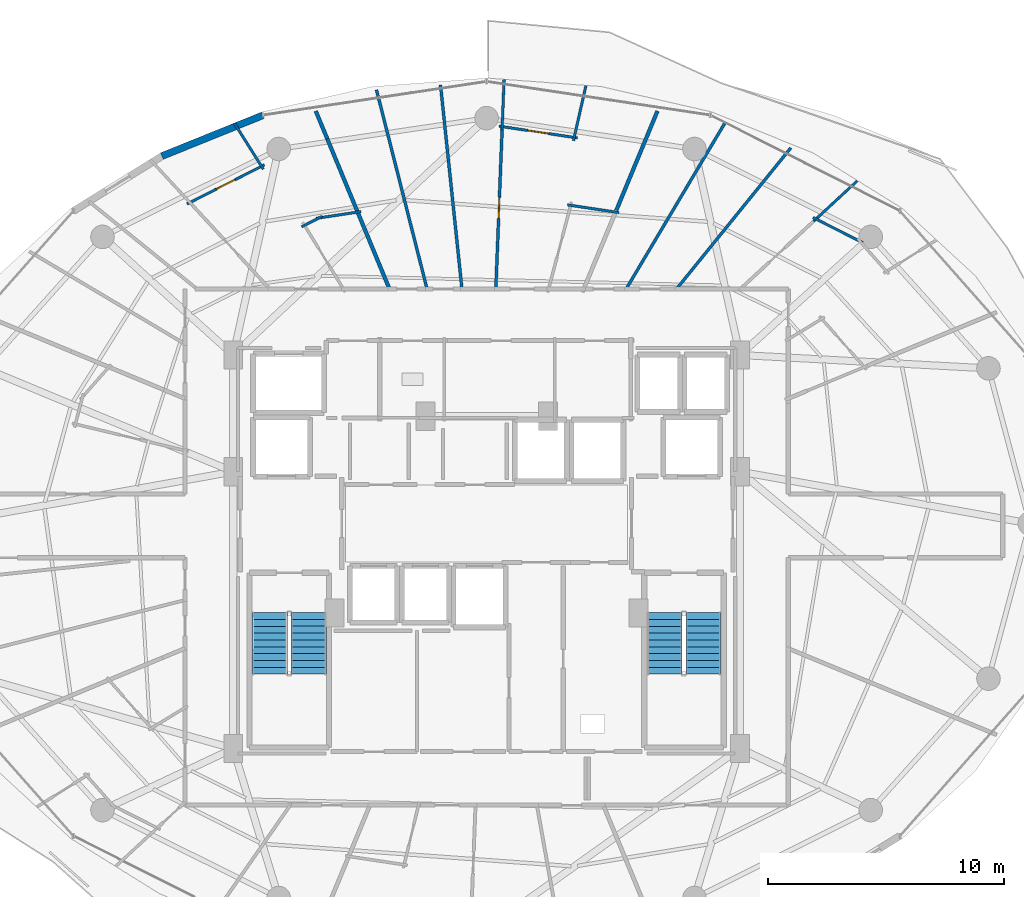
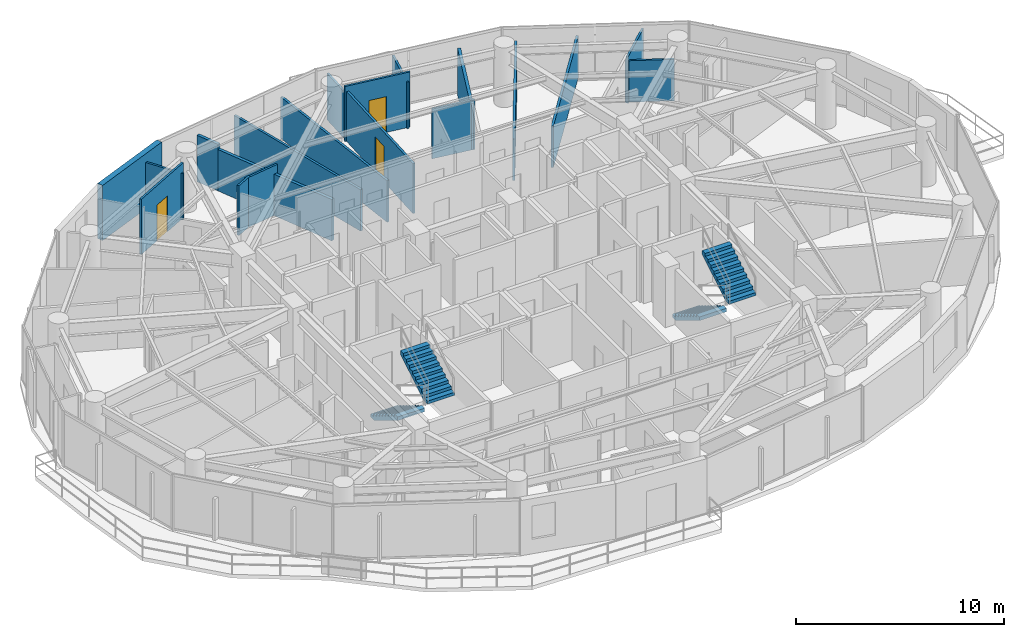
# One storey, part 25 of 28: 19 walls, 4 stair flights, 3 doors, 3 openings, 2 elements without a shape of their own.
"""IFC4 building model written with IfcOpenShell, lengths in metres."""

from ifc_helpers import new_model, si_unit, direction, frame, frame_2d, origin, place, context, subcontext, project, spatial, polyline, rectangle, outline, extrude, material, layer, layer_set, type_object, element, fill, aggregate, save


model = new_model("IFC4")

# Units and contexts
model_context = context("Model", 3, precision=1e-05, world=origin(), true_north=direction((0.0, 1.0)))
body_context = subcontext(model_context, "Body", "Model", "MODEL_VIEW")
ifc_project = project(units=[si_unit("LENGTHUNIT", "METRE"), si_unit("AREAUNIT", "SQUARE_METRE"), si_unit("VOLUMEUNIT", "CUBIC_METRE"), si_unit("PLANEANGLEUNIT", "RADIAN"), si_unit("MASSUNIT", "GRAM", prefix="KILO")], contexts=[model_context])

# Site, building, storey
site_placement = place(None, origin())
site = spatial("IfcSite", under=ifc_project, at=site_placement, CompositionType="ELEMENT")
building_placement = place(site_placement, origin())
building = spatial("IfcBuilding", under=site, at=building_placement, Name="Vorneva Point Tower", CompositionType="ELEMENT")
storey_placement = place(building_placement, frame((0.0, 0.0, 146.60009765625)))
storey = spatial("IfcBuildingStorey", under=building, at=storey_placement, Name="L39", CompositionType="ELEMENT", Elevation=146.60009765625)

# Walls
ifc_material_1 = material(Name="Precast concrete B50 (C40/50)", Category="concrete")
ifc_layer_1 = layer(ifc_material_1, 0.300048828125)
ifc_layer_set_1 = layer_set([ifc_layer_1], Name="Precast concrete B50 (C40/50)")
wall_type_1 = type_object("IfcWallType", Name="WL-EXT-300", PredefinedType="STANDARD", material=ifc_layer_set_1)
wall_1_placement = place(storey_placement, frame((28.509521484375, 43.32275390625, 0.0), z_axis=(0.0, 0.0, 1.0), x_axis=(-0.927156504392, -0.374674280359, 0.0)))
element("IfcWall", 1, at=wall_1_placement, inside=storey, type_object=wall_type_1, Name="L39 Pale-Metal Facade Spandrel Wall 06.1", PredefinedType="STANDARD", context=body_context, shape_type="SweptSolid", body=[
    extrude(rectangle(XDim=4.62451171875, YDim=0.300048828125, at=frame_2d((2.312255859375, 0.0))), origin(), (0.0, 0.0, 1.0), 3.239990234375),
])
ifc_material_2 = material(Name="Fire-rated acoustic gypsum stud partition", Category="gypsum")
ifc_layer_2 = layer(ifc_material_2, 0.110107421875)
ifc_layer_set_2 = layer_set([ifc_layer_2], Name="Fire-rated acoustic gypsum stud partition")
wall_type_2 = type_object("IfcWallType", Name="WL-PART-110", PredefinedType="PARTITIONING", material=ifc_layer_set_2)
wall_2_placement = place(storey_placement, frame((53.964111328125, 37.914794921875, 0.0), z_axis=(0.0, 0.0, 1.0), x_axis=(-0.89250004606, 0.451047301049, 0.0)))
element("IfcWall", 2, at=wall_2_placement, inside=storey, type_object=wall_type_2, Name="L39 Interior Partition 072", PredefinedType="PARTITIONING", context=body_context, shape_type="SweptSolid", body=[
    extrude(rectangle(XDim=2.366455078125, YDim=0.110107421875, at=frame_2d((1.18310546875, 0.0))), origin(), (0.0, 0.0, 1.0), 2.431884765625),
])
wall_3_placement = place(storey_placement, frame((51.874267578125, 38.823974609375, 0.0), z_axis=(0.0, 0.0, 1.0), x_axis=(0.734191073284, 0.678942904749, 0.0)))
element("IfcWall", 3, at=wall_3_placement, inside=storey, type_object=wall_type_2, Name="L39 Interior Partition 073", PredefinedType="PARTITIONING", context=body_context, shape_type="SweptSolid", body=[
    extrude(rectangle(XDim=2.523193359375, YDim=0.110107421875, at=frame_2d((1.26171875, 0.0))), origin(), (0.0, 0.0, 1.0), 2.727783203125),
])
wall_4_placement = place(storey_placement, frame((41.4296875, 39.519775390625, 0.0), z_axis=(0.0, 0.0, 1.0), x_axis=(0.98891036234, -0.148513619769, 0.0)))
element("IfcWall", 4, at=wall_4_placement, inside=storey, type_object=wall_type_2, Name="L39 Interior Partition 083", PredefinedType="PARTITIONING", context=body_context, shape_type="SweptSolid", body=[
    extrude(rectangle(XDim=2.2060546875, YDim=0.110107421875, at=frame_2d((1.10302734375, 0.0))), origin(), (0.0, 0.0, 1.0), 2.921875),
])
wall_5_placement = place(storey_placement, frame((42.212890625, 44.574462890625, 0.0), z_axis=(0.0, 0.0, 1.0), x_axis=(-0.220932027223, -0.975289208054, 0.0)))
element("IfcWall", 5, at=wall_5_placement, inside=storey, type_object=wall_type_2, Name="L39 Interior Partition 084", PredefinedType="PARTITIONING", context=body_context, shape_type="SweptSolid", body=[
    extrude(rectangle(XDim=2.38916015625, YDim=0.110107421875, at=frame_2d((1.194580078125, 0.0))), origin(), (0.0, 0.0, 1.0), 2.727783203125),
])

# Wall, opening, door
wall_6_placement = place(storey_placement, frame((41.8544921875, 42.360107421875, 0.0), z_axis=(0.0, 0.0, 1.0), x_axis=(-0.988887919082, 0.148662986296, 0.0)))
wall_6 = element("IfcWall", 6, at=wall_6_placement, inside=storey, type_object=wall_type_2, Name="L39 Interior Partition 085", PredefinedType="PARTITIONING", context=body_context, shape_type="SweptSolid", body=[
    extrude(rectangle(XDim=3.3681640625, YDim=0.110107421875, at=frame_2d((1.68408203125, 0.0))), origin(), (0.0, 0.0, 1.0), 3.239990234375),
])
opening_1_placement = place(wall_6_placement, frame((1.234130859375, 0.0, 0.0)))
opening_1 = element("IfcOpeningElement", 7, at=opening_1_placement, cuts=wall_6, Name="Opening ID-01", PredefinedType="OPENING", context=body_context, shape_type="SweptSolid", body=[
    extrude(rectangle(XDim=0.89990234375, YDim=2.10009765625, at=frame_2d((0.449951171875, 1.050048828125))), frame((0.0, 0.06982421875, 0.0), z_axis=(0.0, -1.0, 0.0), x_axis=(1.0, 0.0, 0.0)), (0.0, 0.0, 1.0), 0.139892578125),
])
ifc_material_3 = material(Name="Engineered oak fire-rated door leaf", Category="wood")
door_type = type_object("IfcDoorType", Name="DR-ROOM-900", OperationType="NOTDEFINED", PredefinedType="DOOR", material=ifc_material_3)
door_1_placement = place(opening_1_placement, origin())
door_1 = element("IfcDoor", 8, at=door_1_placement, inside=storey, type_object=door_type, Name="L39 Door Living and Dining Room L39-02 / Kitchen L39-02", OperationType="SINGLE_SWING_LEFT", OverallHeight=2.10009765625, OverallWidth=0.89990234375, PredefinedType="DOOR", context=body_context, shape_type="SweptSolid", body=[
    extrude(rectangle(XDim=0.89990234375, YDim=2.10009765625, at=frame_2d((0.449951171875, 1.050048828125))), frame((0.0, 0.02490234375, 0.0), z_axis=(0.0, -1.0, 0.0), x_axis=(1.0, 0.0, 0.0)), (0.0, 0.0, 1.0), 0.050048828125),
])
fill(opening_1, door_1)

# Walls
wall_7_placement = place(storey_placement, frame((38.740478515625, 44.8349609375, 0.0), z_axis=(0.0, 0.0, 1.0), x_axis=(-0.039310852952, -0.999227029679, 0.0)))
element("IfcWall", 9, at=wall_7_placement, inside=storey, type_object=wall_type_2, Name="L39 Interior Partition 087", PredefinedType="PARTITIONING", context=body_context, shape_type="SweptSolid", body=[
    extrude(rectangle(XDim=2.136474609375, YDim=0.110107421875, at=frame_2d((1.068359375, 0.0))), origin(), (0.0, 0.0, 1.0), 2.727783203125),
])
wall_8_placement = place(storey_placement, frame((30.149169921875, 38.588623046875, 0.0), z_axis=(0.0, 0.0, 1.0), x_axis=(0.891868081409, 0.452295617229, 0.0)))
element("IfcWall", 10, at=wall_8_placement, inside=storey, type_object=wall_type_2, Name="L39 Interior Partition 093", PredefinedType="PARTITIONING", context=body_context, shape_type="SweptSolid", body=[
    extrude(rectangle(XDim=0.978515625, YDim=0.110107421875, at=frame_2d((0.4892578125, 0.0))), origin(), (0.0, 0.0, 1.0), 2.921875),
])
wall_9_placement = place(storey_placement, frame((30.758544921875, 38.947265625, 0.0), z_axis=(0.0, 0.0, 1.0), x_axis=(0.988889867338, 0.148650026153, 0.0)))
element("IfcWall", 11, at=wall_9_placement, inside=storey, type_object=wall_type_2, Name="L39 Interior Partition 094", PredefinedType="PARTITIONING", context=body_context, shape_type="SweptSolid", body=[
    extrude(rectangle(XDim=1.92822265625, YDim=0.110107421875, at=frame_2d((0.964111328125, 0.0))), origin(), (0.0, 0.0, 1.0), 2.921875),
])

# Wall, opening, door
wall_10_placement = place(storey_placement, frame((28.573974609375, 41.21923828125, 0.0), z_axis=(0.0, 0.0, 1.0), x_axis=(-0.892470920122, -0.451104928744, 0.0)))
wall_10 = element("IfcWall", 12, at=wall_10_placement, inside=storey, type_object=wall_type_2, Name="L39 Interior Partition 095", PredefinedType="PARTITIONING", context=body_context, shape_type="SweptSolid", body=[
    extrude(rectangle(XDim=3.68505859375, YDim=0.110107421875, at=frame_2d((1.842529296875, 0.0))), origin(), (0.0, 0.0, 1.0), 3.239990234375),
])
opening_2_placement = place(wall_10_placement, frame((1.392578125, 0.0, 0.0)))
opening_2 = element("IfcOpeningElement", 13, at=opening_2_placement, cuts=wall_10, Name="Opening ID-01", PredefinedType="OPENING", context=body_context, shape_type="SweptSolid", body=[
    extrude(rectangle(XDim=0.89990234375, YDim=2.10009765625, at=frame_2d((0.449951171875, 1.050048828125))), frame((0.0, 0.06982421875, 0.0), z_axis=(0.0, -1.0, 0.0), x_axis=(1.0, 0.0, 0.0)), (0.0, 0.0, 1.0), 0.139892578125),
])
door_2_placement = place(opening_2_placement, origin())
door_2 = element("IfcDoor", 14, at=door_2_placement, inside=storey, type_object=door_type, Name="L39 Door Living and Dining Room L39-03 / Kitchen L39-03", OperationType="SINGLE_SWING_RIGHT", OverallHeight=2.10009765625, OverallWidth=0.89990234375, PredefinedType="DOOR", context=body_context, shape_type="SweptSolid", body=[
    extrude(rectangle(XDim=0.89990234375, YDim=2.10009765625, at=frame_2d((0.449951171875, 1.050048828125))), frame((0.0, 0.02490234375, 0.0), z_axis=(0.0, -1.0, 0.0), x_axis=(1.0, 0.0, 0.0)), (0.0, 0.0, 1.0), 0.050048828125),
])
fill(opening_2, door_2)

# Walls
wall_11_placement = place(storey_placement, frame((27.29833984375, 42.9814453125, 0.0), z_axis=(0.0, 0.0, 1.0), x_axis=(0.533261254764, -0.845950609769, 0.0)))
element("IfcWall", 15, at=wall_11_placement, inside=storey, type_object=wall_type_2, Name="L39 Interior Partition 097", PredefinedType="PARTITIONING", context=body_context, shape_type="SweptSolid", body=[
    extrude(rectangle(XDim=2.2978515625, YDim=0.110107421875, at=frame_2d((1.14892578125, 0.0))), origin(), (0.0, 0.0, 1.0), 2.727783203125),
])
ifc_layer_3 = layer(ifc_material_2, 0.125)
ifc_layer_set_3 = layer_set([ifc_layer_3], Name="Fire-rated acoustic gypsum stud partition")
wall_type_3 = type_object("IfcWallType", Name="WL-PART-125", PredefinedType="PARTITIONING", material=ifc_layer_set_3)
wall_12_placement = place(storey_placement, frame((50.907958984375, 41.93994140625, 0.0), z_axis=(0.0, 0.0, 1.0), x_axis=(-0.62935766896, -0.77711577292, 0.0)))
element("IfcWall", 16, at=wall_12_placement, inside=storey, type_object=wall_type_3, Name="L39 Interior Partition 078", PredefinedType="PARTITIONING", context=body_context, shape_type="SweptSolid", body=[
    extrude(rectangle(XDim=7.7080078125, YDim=0.125, at=frame_2d((3.85400390625, 0.0))), origin(), (0.0, 0.0, 1.0), 2.431884765625),
])
wall_13_placement = place(storey_placement, frame((48.14794921875, 43.056884765625, 0.0), z_axis=(0.0, 0.0, 1.0), x_axis=(-0.511279346901, -0.859414585304, 0.0)))
element("IfcWall", 17, at=wall_13_placement, inside=storey, type_object=wall_type_3, Name="L39 Interior Partition 079", PredefinedType="PARTITIONING", context=body_context, shape_type="SweptSolid", body=[
    extrude(rectangle(XDim=8.26953125, YDim=0.125, at=frame_2d((4.134765625, 0.0))), origin(), (0.0, 0.0, 1.0), 2.431884765625),
])

# Wall, opening, door
wall_14_placement = place(storey_placement, frame((38.662109375, 42.840087890625, 0.0), z_axis=(0.0, 0.0, 1.0), x_axis=(-0.039300632457, -0.999227431713, 0.0)))
wall_14 = element("IfcWall", 18, at=wall_14_placement, inside=storey, type_object=wall_type_3, Name="L39 Interior Partition 086", PredefinedType="PARTITIONING", context=body_context, shape_type="SweptSolid", body=[
    extrude(rectangle(XDim=6.8955078125, YDim=0.125, at=frame_2d((3.44775390625, 0.0))), origin(), (0.0, 0.0, 1.0), 2.921875),
])
opening_3_placement = place(wall_14_placement, frame((2.997802734375, 0.0, 0.0)))
opening_3 = element("IfcOpeningElement", 19, at=opening_3_placement, cuts=wall_14, Name="Opening ID-01", PredefinedType="OPENING", context=body_context, shape_type="SweptSolid", body=[
    extrude(rectangle(XDim=0.89990234375, YDim=2.10009765625, at=frame_2d((0.449951171875, 1.050048828125))), frame((0.0, 0.077392578125, 0.0), z_axis=(0.0, -1.0, 0.0), x_axis=(1.0, 0.0, 0.0)), (0.0, 0.0, 1.0), 0.15478515625),
])
door_3_placement = place(opening_3_placement, origin())
door_3 = element("IfcDoor", 20, at=door_3_placement, inside=storey, type_object=door_type, Name="L39 Door Living and Dining Room L39-02 / Master Bedroom L39-02.1", OperationType="SINGLE_SWING_RIGHT", OverallHeight=2.10009765625, OverallWidth=0.89990234375, PredefinedType="DOOR", context=body_context, shape_type="SweptSolid", body=[
    extrude(rectangle(XDim=0.89990234375, YDim=2.10009765625, at=frame_2d((0.449951171875, 1.050048828125))), frame((0.0, 0.02490234375, 0.0), z_axis=(0.0, -1.0, 0.0), x_axis=(1.0, 0.0, 0.0)), (0.0, 0.0, 1.0), 0.050048828125),
])
fill(opening_3, door_3)

# Walls
wall_15_placement = place(storey_placement, frame((36.044921875, 44.60400390625, 0.0), z_axis=(0.0, 0.0, 1.0), x_axis=(0.104483235172, -0.994526647993, 0.0)))
element("IfcWall", 21, at=wall_15_placement, inside=storey, type_object=wall_type_3, Name="L39 Interior Partition 088", PredefinedType="PARTITIONING", context=body_context, shape_type="SweptSolid", body=[
    extrude(rectangle(XDim=8.70166015625, YDim=0.125, at=frame_2d((4.350830078125, 0.0))), origin(), (0.0, 0.0, 1.0), 2.431884765625),
])
wall_16_placement = place(storey_placement, frame((33.326904296875, 44.40087890625, 0.0), z_axis=(0.0, 0.0, 1.0), x_axis=(0.246124619458, -0.969238191415, 0.0)))
element("IfcWall", 22, at=wall_16_placement, inside=storey, type_object=wall_type_3, Name="L39 Interior Partition 089", PredefinedType="PARTITIONING", context=body_context, shape_type="SweptSolid", body=[
    extrude(rectangle(XDim=8.71923828125, YDim=0.125, at=frame_2d((4.359619140625, 0.0))), origin(), (0.0, 0.0, 1.0), 2.431884765625),
])
ifc_layer_4 = layer(ifc_material_2, 0.159912109375)
ifc_layer_set_4 = layer_set([ifc_layer_4], Name="Fire-rated acoustic gypsum stud partition")
wall_type_4 = type_object("IfcWallType", Name="WL-PART-160", PredefinedType="PARTITIONING", material=ifc_layer_set_4)
wall_17_placement = place(storey_placement, frame((45.248046875, 43.4990234375, 0.0), z_axis=(0.0, 0.0, 1.0), x_axis=(-0.382708032219, -0.923869342535, 0.0)))
element("IfcWall", 23, at=wall_17_placement, inside=storey, type_object=wall_type_4, Name="L39 Interior Partition 080", PredefinedType="PARTITIONING", context=body_context, shape_type="SweptSolid", body=[
    extrude(rectangle(XDim=4.700927734375, YDim=0.159912109375, at=frame_2d((2.3505859375, 0.0))), origin(), (0.0, 0.0, 1.0), 2.727783203125),
])
wall_18_placement = place(storey_placement, frame((30.751953125, 43.4990234375, 0.0), z_axis=(0.0, 0.0, 1.0), x_axis=(0.382752000821, -0.923851127546, 0.0)))
element("IfcWall", 24, at=wall_18_placement, inside=storey, type_object=wall_type_4, Name="L39 Interior Partition 090", PredefinedType="PARTITIONING", context=body_context, shape_type="SweptSolid", body=[
    extrude(rectangle(XDim=1.275146484375, YDim=0.159912109375, at=frame_2d((0.6376953125, 0.0))), origin(), (0.0, 0.0, 1.0), 2.727783203125),
])
wall_19_placement = place(storey_placement, frame((31.239990234375, 42.321044921875, 0.0), z_axis=(0.0, 0.0, 1.0), x_axis=(0.382673849319, -0.923883501881, 0.0)))
element("IfcWall", 25, at=wall_19_placement, inside=storey, type_object=wall_type_4, Name="L39 Interior Partition 091", PredefinedType="PARTITIONING", context=body_context, shape_type="SweptSolid", body=[
    extrude(rectangle(XDim=6.89599609375, YDim=0.159912109375, at=frame_2d((3.447998046875, 0.0))), origin(), (0.0, 0.0, 1.0), 2.431884765625),
])

# Stair, stair flights
ifc_material_4 = material(Name="Concrete B50 (C40/50)", Category="concrete")
stair_type = type_object("IfcStairType", Name="ST-DOG-1500", PredefinedType="HALF_TURN_STAIR", material=ifc_material_4)
stair_1_placement = place(storey_placement, origin())
stair_1 = element("IfcStair", 26, at=stair_1_placement, inside=storey, type_object=stair_type, Name="L39 ST1", PredefinedType="HALF_TURN_STAIR")
stair_flight_type = type_object("IfcStairFlightType", Name="STF-1500", PredefinedType="STRAIGHT", material=ifc_material_4)
stair_flight_1_placement = place(storey_placement, frame((28.800048828125, 22.219970703125, 0.0), z_axis=(0.0, 0.0, 1.0), x_axis=(0.0, -1.0, 0.0)))
stair_flight_1 = element("IfcStairFlight", 27, at=stair_flight_1_placement, type_object=stair_flight_type, Name="ST1 flight 1", NumberOfRisers=10, NumberOfTreads=9, PredefinedType="STRAIGHT", RiserHeight=0.175, TreadLength=0.29, context=body_context, shape_type="SweptSolid", body=[
    extrude(outline(polyline([(0.0, 0.0), (0.0, 0.175048828125), (0.2900390625, 0.175048828125), (0.2900390625, 0.35009765625), (0.580078125, 0.35009765625), (0.580078125, 0.52490234375), (0.8701171875, 0.52490234375), (0.8701171875, 0.699951171875), (1.159912109375, 0.699951171875), (1.159912109375, 0.875), (1.449951171875, 0.875), (1.449951171875, 1.050048828125), (1.739990234375, 1.050048828125), (1.739990234375, 1.22509765625), (2.030029296875, 1.22509765625), (2.030029296875, 1.39990234375), (2.320068359375, 1.39990234375), (2.320068359375, 1.574951171875), (2.610107421875, 1.574951171875), (2.610107421875, 1.75), (2.610107421875, 1.36474609375), (0.34814453125, 0.0), (0.0, 0.0)])), frame((0.0, 0.75, 0.0), z_axis=(0.0, -1.0, 0.0), x_axis=(1.0, 0.0, 0.0)), (0.0, 0.0, 1.0), 1.5),
])
stair_flight_2_placement = place(storey_placement, frame((30.449951171875, 19.610107421875, 1.75), z_axis=(0.0, 0.0, 1.0), x_axis=(0.0, 1.0, 0.0)))
stair_flight_2 = element("IfcStairFlight", 28, at=stair_flight_2_placement, type_object=stair_flight_type, Name="ST1 flight 2", NumberOfRisers=10, NumberOfTreads=9, PredefinedType="STRAIGHT", RiserHeight=0.175, TreadLength=0.29, context=body_context, shape_type="SweptSolid", body=[
    extrude(outline(polyline([(0.0, 0.0), (0.0, 0.175048828125), (0.2900390625, 0.175048828125), (0.2900390625, 0.35009765625), (0.580078125, 0.35009765625), (0.580078125, 0.52490234375), (0.8701171875, 0.52490234375), (0.8701171875, 0.699951171875), (1.159912109375, 0.699951171875), (1.159912109375, 0.875), (1.449951171875, 0.875), (1.449951171875, 1.050048828125), (1.739990234375, 1.050048828125), (1.739990234375, 1.22509765625), (2.030029296875, 1.22509765625), (2.030029296875, 1.39990234375), (2.320068359375, 1.39990234375), (2.320068359375, 1.574951171875), (2.610107421875, 1.574951171875), (2.610107421875, 1.75), (2.610107421875, 1.36474609375), (0.34814453125, 0.0), (0.0, 0.0)])), frame((0.0, 0.75, 0.0), z_axis=(0.0, -1.0, 0.0), x_axis=(1.0, 0.0, 0.0)), (0.0, 0.0, 1.0), 1.5),
])
aggregate(stair_1, [stair_flight_1, stair_flight_2])

stair_2_placement = place(storey_placement, origin())
stair_2 = element("IfcStair", 29, at=stair_2_placement, inside=storey, type_object=stair_type, Name="L39 ST2", PredefinedType="HALF_TURN_STAIR")
stair_flight_3_placement = place(storey_placement, frame((45.550048828125, 22.219970703125, 0.0), z_axis=(0.0, 0.0, 1.0), x_axis=(0.0, -1.0, 0.0)))
stair_flight_3 = element("IfcStairFlight", 30, at=stair_flight_3_placement, type_object=stair_flight_type, Name="ST2 flight 1", NumberOfRisers=10, NumberOfTreads=9, PredefinedType="STRAIGHT", RiserHeight=0.175, TreadLength=0.29, context=body_context, shape_type="SweptSolid", body=[
    extrude(outline(polyline([(0.0, 0.0), (0.0, 0.175048828125), (0.2900390625, 0.175048828125), (0.2900390625, 0.35009765625), (0.580078125, 0.35009765625), (0.580078125, 0.52490234375), (0.8701171875, 0.52490234375), (0.8701171875, 0.699951171875), (1.159912109375, 0.699951171875), (1.159912109375, 0.875), (1.449951171875, 0.875), (1.449951171875, 1.050048828125), (1.739990234375, 1.050048828125), (1.739990234375, 1.22509765625), (2.030029296875, 1.22509765625), (2.030029296875, 1.39990234375), (2.320068359375, 1.39990234375), (2.320068359375, 1.574951171875), (2.610107421875, 1.574951171875), (2.610107421875, 1.75), (2.610107421875, 1.36474609375), (0.34814453125, 0.0), (0.0, 0.0)])), frame((0.0, 0.75, 0.0), z_axis=(0.0, -1.0, 0.0), x_axis=(1.0, 0.0, 0.0)), (0.0, 0.0, 1.0), 1.5),
])
stair_flight_4_placement = place(storey_placement, frame((47.199951171875, 19.610107421875, 1.75), z_axis=(0.0, 0.0, 1.0), x_axis=(0.0, 1.0, 0.0)))
stair_flight_4 = element("IfcStairFlight", 31, at=stair_flight_4_placement, type_object=stair_flight_type, Name="ST2 flight 2", NumberOfRisers=10, NumberOfTreads=9, PredefinedType="STRAIGHT", RiserHeight=0.175, TreadLength=0.29, context=body_context, shape_type="SweptSolid", body=[
    extrude(outline(polyline([(0.0, 0.0), (0.0, 0.175048828125), (0.2900390625, 0.175048828125), (0.2900390625, 0.35009765625), (0.580078125, 0.35009765625), (0.580078125, 0.52490234375), (0.8701171875, 0.52490234375), (0.8701171875, 0.699951171875), (1.159912109375, 0.699951171875), (1.159912109375, 0.875), (1.449951171875, 0.875), (1.449951171875, 1.050048828125), (1.739990234375, 1.050048828125), (1.739990234375, 1.22509765625), (2.030029296875, 1.22509765625), (2.030029296875, 1.39990234375), (2.320068359375, 1.39990234375), (2.320068359375, 1.574951171875), (2.610107421875, 1.574951171875), (2.610107421875, 1.75), (2.610107421875, 1.36474609375), (0.34814453125, 0.0), (0.0, 0.0)])), frame((0.0, 0.75, 0.0), z_axis=(0.0, -1.0, 0.0), x_axis=(1.0, 0.0, 0.0)), (0.0, 0.0, 1.0), 1.5),
])
aggregate(stair_2, [stair_flight_3, stair_flight_4])

save(model, "model.ifc")
